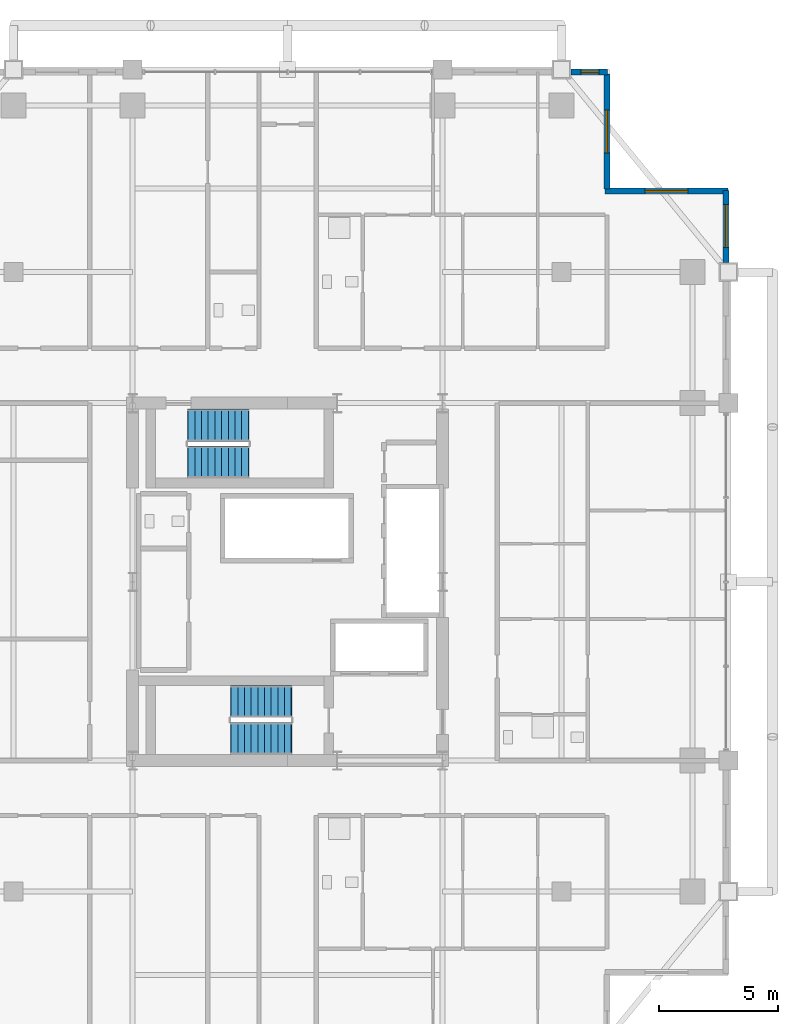
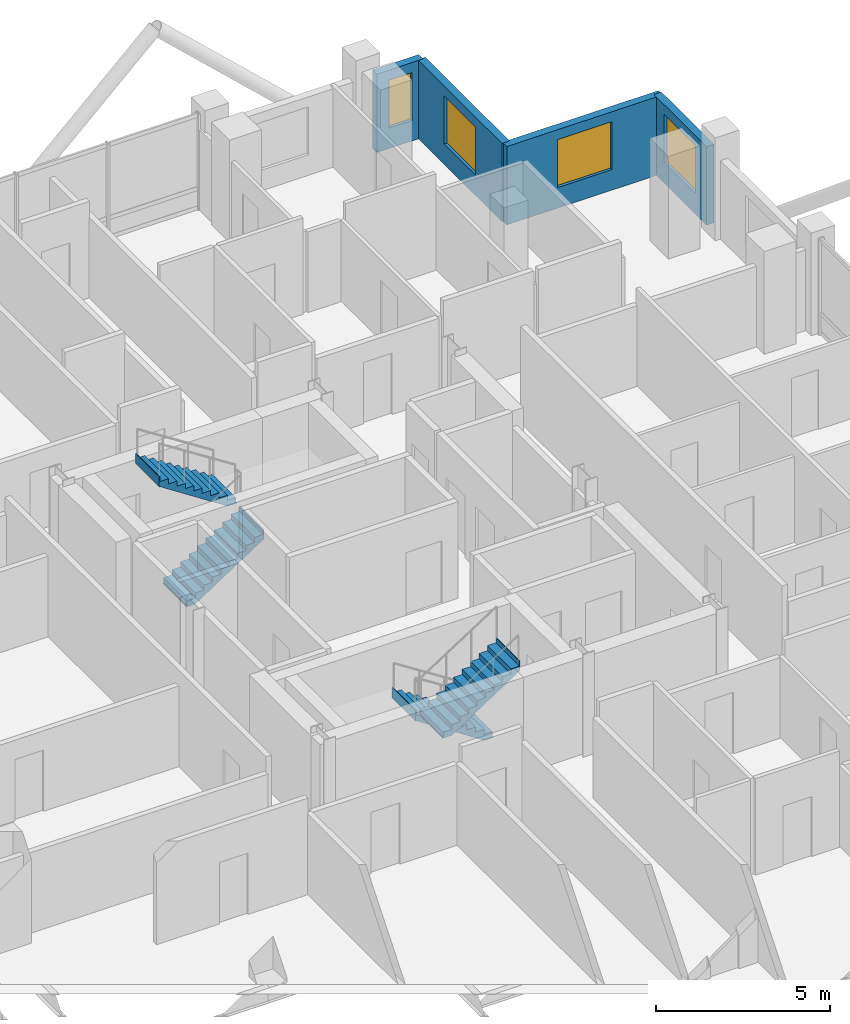
# One storey, part 24 of 26: 4 stair flights, 4 walls, 4 windows, 4 openings, 2 elements without a shape of their own.
"""IFC4 building model written with IfcOpenShell, lengths in metres."""

import ifcopenshell
import ifcopenshell.guid

model = None  # the IFC model being written
_history = None  # IfcOwnerHistory: only IFC2X3 demands one
_inside = {}  # id of a spatial element -> (the spatial element, [elements in it])
_under = {}  # id of a project, library or spatial element -> (it, [spatial elements below it])
_declared = {}  # id of a project -> (the project, [libraries it declares])
_typed = {}  # id of a type object -> (the type object, [elements of that type])
_made_of = {}  # id of a material, layer set ... -> (it, [elements and type objects made of it])


def new_model(schema):
    """Start an empty IFC model of exactly this schema.

    Asked for "IFC4X3", IfcOpenShell would pick the latest addendum, in which some entities
    have other attributes; the version numbers below select the first issue.
    IFC2X3 requires an IfcOwnerHistory on every rooted entity: one is made here for all.
    """
    global model, _history
    if schema == "IFC4X3":
        model = ifcopenshell.file(schema_version=(4, 3, 0, 0))
    else:
        model = ifcopenshell.file(schema=schema)
    _inside.clear()
    _under.clear()
    _declared.clear()
    _typed.clear()
    _made_of.clear()
    _history = None
    if model.schema == "IFC2X3":
        org = make("IfcOrganization", Name="unknown")
        user = make(
            "IfcPersonAndOrganization",
            ThePerson=make("IfcPerson", FamilyName="unknown"),
            TheOrganization=org,
        )
        app = make(
            "IfcApplication",
            ApplicationDeveloper=org,
            Version="unknown",
            ApplicationFullName="unknown",
            ApplicationIdentifier="unknown",
        )
        _history = make(
            "IfcOwnerHistory",
            OwningUser=user,
            OwningApplication=app,
            ChangeAction="ADDED",
            CreationDate=0,
        )
    return model


def make(cls, **values):
    """One entity of the class cls with the attributes given. An attribute that is None is left unset."""
    return model.create_entity(
        cls, **{name: value for name, value in values.items() if value is not None}
    )


def rooted(cls, **values):
    """An entity with a GlobalId (a new one), such as an element, a storey or a relation."""
    return make(cls, GlobalId=ifcopenshell.guid.new(), OwnerHistory=_history, **values)


def si_unit(unit_type, name, prefix=None):
    """IfcSIUnit, for example si_unit("LENGTHUNIT", "METRE", prefix="MILLI")."""
    return make("IfcSIUnit", UnitType=unit_type, Prefix=prefix, Name=name)


def assignment(units):
    """IfcUnitAssignment: the units of a project."""
    return None if units is None else make("IfcUnitAssignment", Units=units)


def point(xyz):
    """IfcCartesianPoint."""
    return None if xyz is None else make("IfcCartesianPoint", Coordinates=xyz)


def direction(xyz):
    """IfcDirection."""
    return None if xyz is None else make("IfcDirection", DirectionRatios=xyz)


def frame(location, z_axis=None, x_axis=None):
    """IfcAxis2Placement3D, a coordinate frame: its origin and axes. An axis left out is left unset."""
    return make(
        "IfcAxis2Placement3D",
        Location=point(location),
        Axis=direction(z_axis),
        RefDirection=direction(x_axis),
    )


def frame_2d(location, x_axis=None):
    """IfcAxis2Placement2D, a coordinate frame in the plane: its origin and x axis."""
    return make(
        "IfcAxis2Placement2D", Location=point(location), RefDirection=direction(x_axis)
    )


def origin():
    """The frame at (0, 0, 0) with its axes left unset."""
    return frame((0.0, 0.0, 0.0))


def place(relative_to, where):
    """IfcLocalPlacement: puts the frame where relative to a parent placement (None: the world)."""
    return make(
        "IfcLocalPlacement", PlacementRelTo=relative_to, RelativePlacement=where
    )


def context(
    kind, dimensions, precision=None, world=None, true_north=None, identifier=None
):
    """IfcGeometricRepresentationContext, for example the 3D "Model" context."""
    return make(
        "IfcGeometricRepresentationContext",
        ContextIdentifier=identifier,
        ContextType=kind,
        CoordinateSpaceDimension=dimensions,
        Precision=precision,
        WorldCoordinateSystem=world,
        TrueNorth=true_north,
    )


def subcontext(parent, identifier, kind, view, scale=None):
    """IfcGeometricRepresentationSubContext, for example "Body" below "Model"."""
    return make(
        "IfcGeometricRepresentationSubContext",
        ContextIdentifier=identifier,
        ContextType=kind,
        ParentContext=parent,
        TargetScale=scale,
        TargetView=view,
    )


def project(units=None, contexts=None):
    """IfcProject with its units and contexts."""
    return rooted(
        "IfcProject",
        Name="project",
        RepresentationContexts=contexts,
        UnitsInContext=assignment(units),
    )


def spatial(cls, under=None, at=None, **own):
    """A site, building, storey or space (cls), placed at a placement, below another one or the project."""
    s = rooted(cls, ObjectPlacement=at, **own)
    if under is not None:
        _under.setdefault(under.id(), (under, []))[1].append(s)
    return s


def polyline(points):
    """IfcPolyline through the points."""
    return make("IfcPolyline", Points=[point(p) for p in points])


def profile(cls, at=None, kind="AREA", **sizes):
    """A parametric profile (cls). Its sizes go by their IFC names, for example OverallWidth=200.0."""
    return make(cls, ProfileType=kind, Position=at, **sizes)


def rectangle(**sizes):
    """IfcRectangleProfileDef."""
    return profile("IfcRectangleProfileDef", **sizes)


def outline(outer, holes=None, kind="AREA"):
    """IfcArbitraryClosedProfileDef: a profile drawn as a closed curve; with holes, ...WithVoids."""
    if holes is None:
        return make("IfcArbitraryClosedProfileDef", ProfileType=kind, OuterCurve=outer)
    return make(
        "IfcArbitraryProfileDefWithVoids",
        ProfileType=kind,
        OuterCurve=outer,
        InnerCurves=holes,
    )


def extrude(swept, where, along, depth):
    """IfcExtrudedAreaSolid: the profile swept, set in the frame where, extruded along a direction by depth."""
    return make(
        "IfcExtrudedAreaSolid",
        SweptArea=swept,
        Position=where,
        ExtrudedDirection=direction(along),
        Depth=depth,
    )


def shape(context_of_items, identifier, shape_type, items):
    """IfcShapeRepresentation: the items that make up one representation, for example the "Body"."""
    return make(
        "IfcShapeRepresentation",
        ContextOfItems=context_of_items,
        RepresentationIdentifier=identifier,
        RepresentationType=shape_type,
        Items=items,
    )


def material(Name=None, Category=None):
    """IfcMaterial."""
    return make("IfcMaterial", Name=Name, Category=Category)


def layer(
    of_material, thickness, ventilated=None, Name=None, Category=None, Priority=None
):
    """IfcMaterialLayer: one layer of a wall or slab, of a material (None: an air gap)."""
    return make(
        "IfcMaterialLayer",
        Material=of_material,
        LayerThickness=thickness,
        IsVentilated=ventilated,
        Name=Name,
        Category=Category,
        Priority=Priority,
    )


def layer_set(layers, Name=None):
    """IfcMaterialLayerSet."""
    return make("IfcMaterialLayerSet", MaterialLayers=layers, LayerSetName=Name)


def made_of(thing, what):
    """Note that an element or type object is made of a material, layer set ...; save() writes the relation."""
    if what is not None:
        _made_of.setdefault(what.id(), (what, []))[1].append(thing)
    return thing


def type_object(cls, material=None, **own):
    """A type object (cls), such as IfcWallType, which elements share."""
    return made_of(rooted(cls, **own), material)


def element(
    cls,
    number,
    at=None,
    inside=None,
    cuts=None,
    type_object=None,
    material=None,
    context=None,
    identifier="Body",
    shape_type=None,
    held_by="IfcProductDefinitionShape",
    body=None,
    shapes=None,
    **own,
):
    """One element of the class cls, such as IfcWall. Its Tag is "e" and its number.

    at: its placement. inside: the storey or other place that contains it. cuts: it is an
    opening in that element (IfcRelVoidsElement). A single representation is given by context,
    identifier, shape_type and body (its items); several are given by shapes. held_by: the class
    of the entity that holds the representations. save() writes the other relations.
    """
    e = rooted(cls, Tag="e%d" % number, ObjectPlacement=at, **own)
    if body is not None:
        shapes = [shape(context, identifier, shape_type, body)]
    if shapes is not None:
        e.Representation = make(held_by, Representations=shapes)
    if inside is not None:
        _inside.setdefault(inside.id(), (inside, []))[1].append(e)
    if cuts is not None:
        rooted(
            "IfcRelVoidsElement", RelatingBuildingElement=cuts, RelatedOpeningElement=e
        )
    if type_object is not None:
        _typed.setdefault(type_object.id(), (type_object, []))[1].append(e)
    return made_of(e, material)


def fill(opening, filler):
    """IfcRelFillsElement: the door or window that sits in an opening."""
    return rooted(
        "IfcRelFillsElement",
        RelatingOpeningElement=opening,
        RelatedBuildingElement=filler,
    )


def aggregate(whole, parts):
    """IfcRelAggregates: a whole, such as a stair, and the parts it consists of."""
    return rooted("IfcRelAggregates", RelatingObject=whole, RelatedObjects=parts)


def save(model, path):
    """Write the relations noted so far, then the file.

    IfcRelAggregates (storeys below a building ...), IfcRelContainedInSpatialStructure (elements
    in a storey), IfcRelDefinesByType, IfcRelAssociatesMaterial and IfcRelDeclares: one each for
    every whole, place, type object, material and project.
    """
    for whole, parts in _under.values():
        aggregate(whole, parts)
    for where, things in _inside.values():
        rooted(
            "IfcRelContainedInSpatialStructure",
            RelatedElements=things,
            RelatingStructure=where,
        )
    for kind, things in _typed.values():
        rooted("IfcRelDefinesByType", RelatedObjects=things, RelatingType=kind)
    for what, things in _made_of.values():
        rooted("IfcRelAssociatesMaterial", RelatedObjects=things, RelatingMaterial=what)
    for by, libraries in _declared.values():
        rooted("IfcRelDeclares", RelatingContext=by, RelatedDefinitions=libraries)
    model.write(path)


model = new_model("IFC4")

# Units and contexts
model_context = context("Model", 3, precision=1e-05, world=origin(), true_north=direction((0.0, 1.0)))
body_context = subcontext(model_context, "Body", "Model", "MODEL_VIEW")
ifc_project = project(units=[si_unit("LENGTHUNIT", "METRE"), si_unit("AREAUNIT", "SQUARE_METRE"), si_unit("VOLUMEUNIT", "CUBIC_METRE"), si_unit("PLANEANGLEUNIT", "RADIAN"), si_unit("MASSUNIT", "GRAM", prefix="KILO")], contexts=[model_context])

# Site, building, storey
site_placement = place(None, origin())
site = spatial("IfcSite", under=ifc_project, at=site_placement, CompositionType="ELEMENT")
building_placement = place(site_placement, origin())
building = spatial("IfcBuilding", under=site, at=building_placement, Name="Barlavira Tower and Art Museum", CompositionType="ELEMENT")
storey_placement = place(building_placement, frame((0.0, 0.0, 176.39990234375)))
storey = spatial("IfcBuildingStorey", under=building, at=storey_placement, Name="L45", CompositionType="ELEMENT", Elevation=176.39990234375)

# Wall, opening, window
ifc_material_1 = material(Name="Precast concrete C40", Category="concrete")
ifc_layer = layer(ifc_material_1, 0.25, Name="Precast concrete C40")
ifc_layer_set = layer_set([ifc_layer], Name="Precast concrete C40")
wall_type = type_object("IfcWallType", Name="Notched Corner Spandrel Wall 250 Precast Concrete C40", PredefinedType="SOLIDWALL", material=ifc_layer_set)
wall_1_placement = place(storey_placement, frame((13.425048828125, 21.39990234375, 0.0), z_axis=(0.0, 0.0, 1.0), x_axis=(-1.0, 0.0, 0.0)))
wall_1 = element("IfcWall", 1, at=wall_1_placement, inside=storey, type_object=wall_type, Name="L45 Coastal Facade Pier Wall CW3-L45-N-1", PredefinedType="SOLIDWALL", context=body_context, shape_type="SweptSolid", body=[
    extrude(rectangle(XDim=1.530029296875, YDim=0.25, at=frame_2d((0.76513671875, 0.0))), origin(), (0.0, 0.0, 1.0), 2.748046875),
])
opening_1_placement = place(wall_1_placement, frame((0.363037109375, 0.0, 0.719970703125)))
opening_1 = element("IfcOpeningElement", 2, at=opening_1_placement, cuts=wall_1, Name="Opening WN-06", PredefinedType="OPENING", context=body_context, shape_type="SweptSolid", body=[
    extrude(rectangle(XDim=0.760009765625, YDim=1.679931640625, at=frame_2d((0.3798828125, 0.83984375))), frame((0.0, 0.135009765625, 0.0), z_axis=(0.0, -1.0, 0.0), x_axis=(1.0, 0.0, 0.0)), (0.0, 0.0, 1.0), 0.27001953125),
])
ifc_material_2 = material(Name="Low-iron coastal laminated glass", Category="glass")
window_type_1 = type_object("IfcWindowType", Name="Recessed Narrow Pier Window 760x1680", PartitioningType="SINGLE_PANEL", PredefinedType="WINDOW", material=ifc_material_2)
window_1_placement = place(opening_1_placement, origin())
window_1 = element("IfcWindow", 3, at=window_1_placement, inside=storey, type_object=window_type_1, Name="L45 Punched Facade Window EWP-CW3-L45-N-1-1", OverallHeight=1.679931640625, OverallWidth=0.760009765625, PartitioningType="SINGLE_PANEL", PredefinedType="WINDOW", context=body_context, shape_type="SweptSolid", body=[
    extrude(rectangle(XDim=0.760009765625, YDim=1.679931640625, at=frame_2d((0.3798828125, 0.83984375))), frame((0.0, 0.030029296875, 0.0), z_axis=(0.0, -1.0, 0.0), x_axis=(1.0, 0.0, 0.0)), (0.0, 0.0, 1.0), 0.06005859375),
])
fill(opening_1, window_1)

wall_2_placement = place(storey_placement, frame((18.39990234375, 13.39501953125, 0.0), z_axis=(0.0, 0.0, 1.0), x_axis=(0.0, 1.0, 0.0)))
wall_2 = element("IfcWall", 4, at=wall_2_placement, inside=storey, type_object=wall_type, Name="L45 Coastal Facade Pier Wall CW3-L45-E-5", PredefinedType="SOLIDWALL", context=body_context, shape_type="SweptSolid", body=[
    extrude(rectangle(XDim=3.030029296875, YDim=0.25, at=frame_2d((1.51513671875, 0.0))), origin(), (0.0, 0.0, 1.0), 2.748046875),
])
opening_2_placement = place(wall_2_placement, frame((0.637939453125, 0.0, 0.719970703125)))
opening_2 = element("IfcOpeningElement", 5, at=opening_2_placement, cuts=wall_2, Name="Opening WN-01", PredefinedType="OPENING", context=body_context, shape_type="SweptSolid", body=[
    extrude(rectangle(XDim=1.800048828125, YDim=1.679931640625, at=frame_2d((0.89990234375, 0.83984375))), frame((0.0, 0.135009765625, 0.0), z_axis=(0.0, -1.0, 0.0), x_axis=(1.0, 0.0, 0.0)), (0.0, 0.0, 1.0), 0.27001953125),
])
window_type_2 = type_object("IfcWindowType", Name="Recessed Notch Corner Punch Window 1800x1680", PartitioningType="SINGLE_PANEL", PredefinedType="WINDOW", material=ifc_material_2)
window_2_placement = place(opening_2_placement, origin())
window_2 = element("IfcWindow", 6, at=window_2_placement, inside=storey, type_object=window_type_2, Name="L45 Punched Facade Window EWP-CW3-L45-E-5-1", OverallHeight=1.679931640625, OverallWidth=1.800048828125, PartitioningType="SINGLE_PANEL", PredefinedType="WINDOW", context=body_context, shape_type="SweptSolid", body=[
    extrude(rectangle(XDim=1.800048828125, YDim=1.679931640625, at=frame_2d((0.89990234375, 0.83984375))), frame((0.0, 0.030029296875, 0.0), z_axis=(0.0, -1.0, 0.0), x_axis=(1.0, 0.0, 0.0)), (0.0, 0.0, 1.0), 0.06005859375),
])
fill(opening_2, window_2)

wall_3_placement = place(storey_placement, frame((18.47998046875, 16.39990234375, 0.0), z_axis=(0.0, 0.0, 1.0), x_axis=(-1.0, 0.0, 0.0)))
wall_3 = element("IfcWall", 7, at=wall_3_placement, inside=storey, type_object=wall_type, Name="L45 Notch Corner Wall NE1", PredefinedType="SOLIDWALL", context=body_context, shape_type="SweptSolid", body=[
    extrude(rectangle(XDim=5.159912109375, YDim=0.25, at=frame_2d((2.580078125, 0.0))), origin(), (0.0, 0.0, 1.0), 2.748046875),
])
opening_3_placement = place(wall_3_placement, frame((1.679931640625, 0.0, 0.719970703125)))
opening_3 = element("IfcOpeningElement", 8, at=opening_3_placement, cuts=wall_3, Name="Opening WN-01", PredefinedType="OPENING", context=body_context, shape_type="SweptSolid", body=[
    extrude(rectangle(XDim=1.800048828125, YDim=1.679931640625, at=frame_2d((0.89990234375, 0.83984375))), frame((0.0, 0.135009765625, 0.0), z_axis=(0.0, -1.0, 0.0), x_axis=(1.0, 0.0, 0.0)), (0.0, 0.0, 1.0), 0.27001953125),
])
window_3_placement = place(opening_3_placement, origin())
window_3 = element("IfcWindow", 9, at=window_3_placement, inside=storey, type_object=window_type_2, Name="L45 Punched Facade Window EW-NTC-L45-NE1-1", OverallHeight=1.679931640625, OverallWidth=1.800048828125, PartitioningType="SINGLE_PANEL", PredefinedType="WINDOW", context=body_context, shape_type="SweptSolid", body=[
    extrude(rectangle(XDim=1.800048828125, YDim=1.679931640625, at=frame_2d((0.89990234375, 0.83984375))), frame((0.0, 0.030029296875, 0.0), z_axis=(0.0, -1.0, 0.0), x_axis=(1.0, 0.0, 0.0)), (0.0, 0.0, 1.0), 0.06005859375),
])
fill(opening_3, window_3)

wall_4_placement = place(storey_placement, frame((13.39990234375, 16.47998046875, 0.0), z_axis=(0.0, 0.0, 1.0), x_axis=(0.0, 1.0, 0.0)))
wall_4 = element("IfcWall", 10, at=wall_4_placement, inside=storey, type_object=wall_type, Name="L45 Notch Corner Wall NE2", PredefinedType="SOLIDWALL", context=body_context, shape_type="SweptSolid", body=[
    extrude(rectangle(XDim=4.840087890625, YDim=0.25, at=frame_2d((2.419921875, 0.0))), origin(), (0.0, 0.0, 1.0), 2.748046875),
])
opening_4_placement = place(wall_4_placement, frame((1.52001953125, 0.0, 0.719970703125)))
opening_4 = element("IfcOpeningElement", 11, at=opening_4_placement, cuts=wall_4, Name="Opening WN-01", PredefinedType="OPENING", context=body_context, shape_type="SweptSolid", body=[
    extrude(rectangle(XDim=1.800048828125, YDim=1.679931640625, at=frame_2d((0.89990234375, 0.83984375))), frame((0.0, 0.135009765625, 0.0), z_axis=(0.0, -1.0, 0.0), x_axis=(1.0, 0.0, 0.0)), (0.0, 0.0, 1.0), 0.27001953125),
])
window_4_placement = place(opening_4_placement, origin())
window_4 = element("IfcWindow", 12, at=window_4_placement, inside=storey, type_object=window_type_2, Name="L45 Punched Facade Window EW-NTC-L45-NE2-1", OverallHeight=1.679931640625, OverallWidth=1.800048828125, PartitioningType="SINGLE_PANEL", PredefinedType="WINDOW", context=body_context, shape_type="SweptSolid", body=[
    extrude(rectangle(XDim=1.800048828125, YDim=1.679931640625, at=frame_2d((0.89990234375, 0.83984375))), frame((0.0, 0.030029296875, 0.0), z_axis=(0.0, -1.0, 0.0), x_axis=(1.0, 0.0, 0.0)), (0.0, 0.0, 1.0), 0.06005859375),
])
fill(opening_4, window_4)

# Stair, stair flights
ifc_material_3 = material(Name="Concrete C45", Category="concrete")
stair_type_1 = type_object("IfcStairType", Name="Tower North Dog-Leg Exit Stair Assembly Concrete C45", PredefinedType="TWO_QUARTER_TURN_STAIR", material=ifc_material_3)
stair_1_placement = place(storey_placement, origin())
stair_1 = element("IfcStair", 13, at=stair_1_placement, inside=storey, type_object=stair_type_1, Name="L45 Tower North Exit Stair ST-T2", PredefinedType="TWO_QUARTER_TURN_STAIR")
ifc_material_4 = material(Name="Precast concrete C45", Category="concrete")
stair_flight_type_1 = type_object("IfcStairFlightType", Name="Tower North Dog-Leg Exit Stair Precast Flight 1350 Concrete C45", PredefinedType="STRAIGHT", material=ifc_material_4)
stair_flight_1_placement = place(storey_placement, frame((-4.169921875, 5.02490234375, 0.0), z_axis=(0.0, 0.0, 1.0), x_axis=(1.0, 0.0, 0.0)))
stair_flight_1 = element("IfcStairFlight", 14, at=stair_flight_1_placement, type_object=stair_flight_type_1, Name="ST-T2 flight 1", NumberOfRisers=10, NumberOfTreads=9, PredefinedType="STRAIGHT", RiserHeight=0.18, TreadLength=0.28, context=body_context, shape_type="SweptSolid", body=[
    extrude(outline(polyline([(-0.02490234375, 0.0), (0.0, 0.0), (0.0, 0.179931640625), (0.280029296875, 0.179931640625), (0.280029296875, 0.360107421875), (0.56005859375, 0.360107421875), (0.56005859375, 0.5400390625), (0.840087890625, 0.5400390625), (0.840087890625, 0.719970703125), (1.1201171875, 0.719970703125), (1.1201171875, 0.89990234375), (1.39990234375, 0.89990234375), (1.39990234375, 1.080078125), (1.679931640625, 1.080078125), (1.679931640625, 1.260009765625), (1.9599609375, 1.260009765625), (1.9599609375, 1.43994140625), (2.239990234375, 1.43994140625), (2.239990234375, 1.6201171875), (2.52001953125, 1.6201171875), (2.52001953125, 1.800048828125), (2.544921875, 1.800048828125), (2.544921875, 1.44189453125), (2.52001953125, 1.44189453125), (0.277099609375, -0.02490234375), (-0.02490234375, -0.02490234375), (-0.02490234375, 0.0)])), frame((0.0, 0.675048828125, 0.0), z_axis=(0.0, -1.0, 0.0), x_axis=(1.0, 0.0, 0.0)), (0.0, 0.0, 1.0), 1.35009765625),
])
stair_flight_2_placement = place(storey_placement, frame((-1.64990234375, 6.574951171875, 1.800048828125), z_axis=(0.0, 0.0, 1.0), x_axis=(-1.0, 0.0, 0.0)))
stair_flight_2 = element("IfcStairFlight", 15, at=stair_flight_2_placement, type_object=stair_flight_type_1, Name="ST-T2 flight 2", NumberOfRisers=10, NumberOfTreads=9, PredefinedType="STRAIGHT", RiserHeight=0.18, TreadLength=0.28, context=body_context, shape_type="SweptSolid", body=[
    extrude(outline(polyline([(-0.02490234375, 0.0), (0.0, 0.0), (0.0, 0.179931640625), (0.280029296875, 0.179931640625), (0.280029296875, 0.360107421875), (0.56005859375, 0.360107421875), (0.56005859375, 0.5400390625), (0.840087890625, 0.5400390625), (0.840087890625, 0.719970703125), (1.1201171875, 0.719970703125), (1.1201171875, 0.89990234375), (1.39990234375, 0.89990234375), (1.39990234375, 1.080078125), (1.679931640625, 1.080078125), (1.679931640625, 1.260009765625), (1.9599609375, 1.260009765625), (1.9599609375, 1.43994140625), (2.239990234375, 1.43994140625), (2.239990234375, 1.6201171875), (2.52001953125, 1.6201171875), (2.52001953125, 1.800048828125), (2.544921875, 1.800048828125), (2.544921875, 1.44189453125), (2.52001953125, 1.44189453125), (0.277099609375, -0.02490234375), (-0.02490234375, -0.02490234375), (-0.02490234375, 0.0)])), frame((0.0, 0.675048828125, 0.0), z_axis=(0.0, -1.0, 0.0), x_axis=(1.0, 0.0, 0.0)), (0.0, 0.0, 1.0), 1.35009765625),
])
aggregate(stair_1, [stair_flight_1, stair_flight_2])

stair_type_2 = type_object("IfcStairType", Name="Tower South Dog-Leg Exit Stair Assembly Concrete C45", PredefinedType="TWO_QUARTER_TURN_STAIR", material=ifc_material_3)
stair_2_placement = place(storey_placement, origin())
stair_2 = element("IfcStair", 16, at=stair_2_placement, inside=storey, type_object=stair_type_2, Name="L45 Tower South Exit Stair ST-T1", PredefinedType="TWO_QUARTER_TURN_STAIR")
stair_flight_type_2 = type_object("IfcStairFlightType", Name="Tower South Dog-Leg Exit Stair Precast Flight 1350 Concrete C45", PredefinedType="STRAIGHT", material=ifc_material_4)
stair_flight_3_placement = place(storey_placement, frame((0.14990234375, -5.02490234375, 0.0), z_axis=(0.0, 0.0, 1.0), x_axis=(-1.0, 0.0, 0.0)))
stair_flight_3 = element("IfcStairFlight", 17, at=stair_flight_3_placement, type_object=stair_flight_type_2, Name="ST-T1 flight 1", NumberOfRisers=10, NumberOfTreads=9, PredefinedType="STRAIGHT", RiserHeight=0.18, TreadLength=0.28, context=body_context, shape_type="SweptSolid", body=[
    extrude(outline(polyline([(-0.02490234375, 0.0), (0.0, 0.0), (0.0, 0.179931640625), (0.280029296875, 0.179931640625), (0.280029296875, 0.360107421875), (0.56005859375, 0.360107421875), (0.56005859375, 0.5400390625), (0.840087890625, 0.5400390625), (0.840087890625, 0.719970703125), (1.1201171875, 0.719970703125), (1.1201171875, 0.89990234375), (1.39990234375, 0.89990234375), (1.39990234375, 1.080078125), (1.679931640625, 1.080078125), (1.679931640625, 1.260009765625), (1.9599609375, 1.260009765625), (1.9599609375, 1.43994140625), (2.239990234375, 1.43994140625), (2.239990234375, 1.6201171875), (2.52001953125, 1.6201171875), (2.52001953125, 1.800048828125), (2.544921875, 1.800048828125), (2.544921875, 1.44189453125), (2.52001953125, 1.44189453125), (0.277099609375, -0.02490234375), (-0.02490234375, -0.02490234375), (-0.02490234375, 0.0)])), frame((0.0, 0.675048828125, 0.0), z_axis=(0.0, -1.0, 0.0), x_axis=(1.0, 0.0, 0.0)), (0.0, 0.0, 1.0), 1.35009765625),
])
stair_flight_4_placement = place(storey_placement, frame((-2.3701171875, -6.574951171875, 1.800048828125), z_axis=(0.0, 0.0, 1.0), x_axis=(1.0, 0.0, 0.0)))
stair_flight_4 = element("IfcStairFlight", 18, at=stair_flight_4_placement, type_object=stair_flight_type_2, Name="ST-T1 flight 2", NumberOfRisers=10, NumberOfTreads=9, PredefinedType="STRAIGHT", RiserHeight=0.18, TreadLength=0.28, context=body_context, shape_type="SweptSolid", body=[
    extrude(outline(polyline([(-0.02490234375, 0.0), (0.0, 0.0), (0.0, 0.179931640625), (0.280029296875, 0.179931640625), (0.280029296875, 0.360107421875), (0.56005859375, 0.360107421875), (0.56005859375, 0.5400390625), (0.840087890625, 0.5400390625), (0.840087890625, 0.719970703125), (1.1201171875, 0.719970703125), (1.1201171875, 0.89990234375), (1.39990234375, 0.89990234375), (1.39990234375, 1.080078125), (1.679931640625, 1.080078125), (1.679931640625, 1.260009765625), (1.9599609375, 1.260009765625), (1.9599609375, 1.43994140625), (2.239990234375, 1.43994140625), (2.239990234375, 1.6201171875), (2.52001953125, 1.6201171875), (2.52001953125, 1.800048828125), (2.544921875, 1.800048828125), (2.544921875, 1.44189453125), (2.52001953125, 1.44189453125), (0.277099609375, -0.02490234375), (-0.02490234375, -0.02490234375), (-0.02490234375, 0.0)])), frame((0.0, 0.675048828125, 0.0), z_axis=(0.0, -1.0, 0.0), x_axis=(1.0, 0.0, 0.0)), (0.0, 0.0, 1.0), 1.35009765625),
])
aggregate(stair_2, [stair_flight_3, stair_flight_4])

save(model, "model.ifc")
